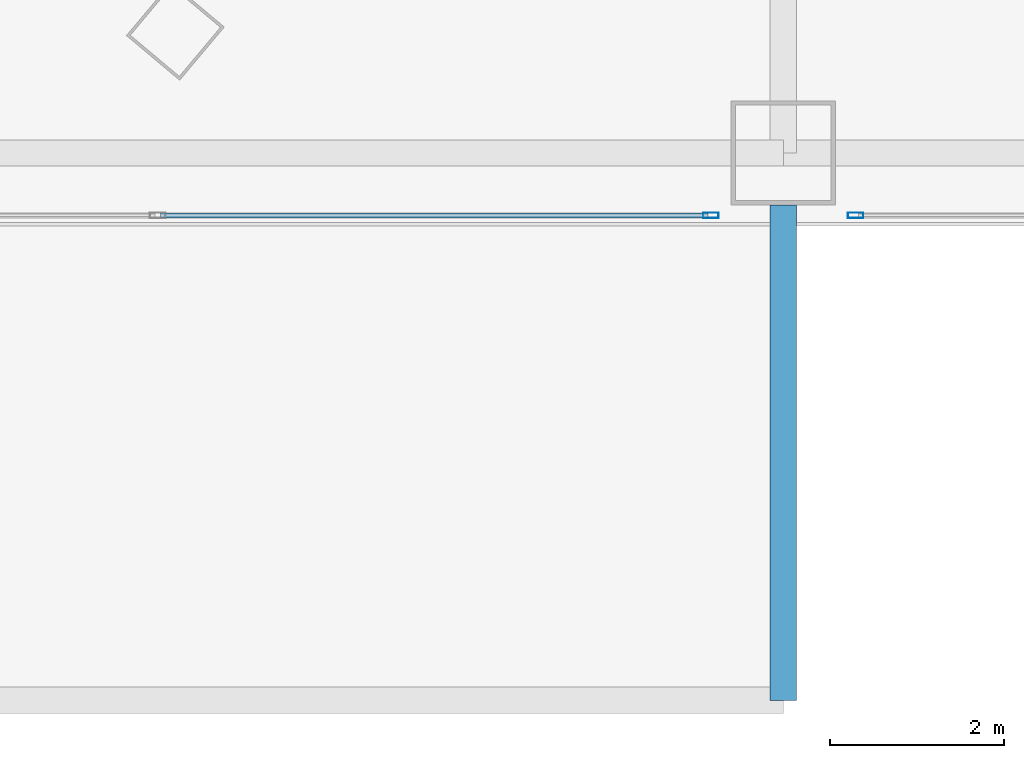
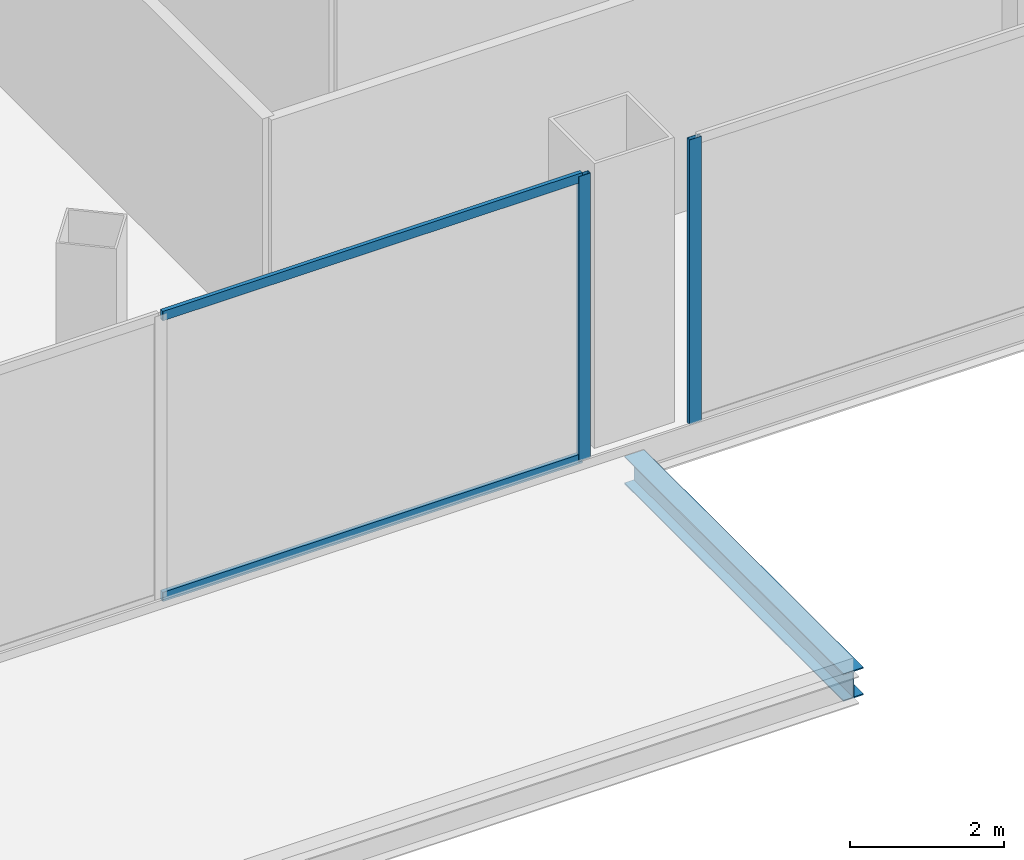
# One storey, part 7 of 42: 4 members, 1 beam, 2 elements without a shape of their own.
"""IFC4 building model written with IfcOpenShell, lengths in metres."""

from ifc_helpers import new_model, si_unit, direction, frame, origin, origin_2d, place, context, subcontext, project, spatial, hollow_rectangle, i_section, extrude, source, transform, mapped, material, layer, layer_set, material_profile, profile_set, type_object, element, aggregate, save


model = new_model("IFC4")

# Units and contexts
model_context = context("Model", 3, precision=1e-05, world=origin(), true_north=direction((0.0, 1.0)))
body_context = subcontext(model_context, "Body", "Model", "MODEL_VIEW")
ifc_project = project(units=[si_unit("LENGTHUNIT", "METRE"), si_unit("AREAUNIT", "SQUARE_METRE"), si_unit("VOLUMEUNIT", "CUBIC_METRE"), si_unit("PLANEANGLEUNIT", "RADIAN"), si_unit("MASSUNIT", "GRAM", prefix="KILO"), si_unit("THERMODYNAMICTEMPERATUREUNIT", "KELVIN"), si_unit("POWERUNIT", "WATT")], contexts=[model_context])

# Site, building, storey
site_placement = place(None, origin())
site = spatial("IfcSite", under=ifc_project, at=site_placement, CompositionType="ELEMENT")
building_placement = place(site_placement, origin())
building = spatial("IfcBuilding", under=site, at=building_placement, Name="Yunzhuo Pagoda Commons", CompositionType="ELEMENT")
storey_placement = place(building_placement, frame((0.0, 0.0, 4.800048828125)))
storey = spatial("IfcBuildingStorey", under=building, at=storey_placement, Name="L02", CompositionType="ELEMENT", Elevation=4.800048828125)

# Beam
ifc_material_1 = material(Name="Structural steel Q355B", Category="steel")
ifc_material_profile_1 = material_profile(ifc_material_1, i_section(OverallWidth=0.300048828125, OverallDepth=0.43994140625, WebThickness=0.010986328125, FlangeThickness=0.01806640625, at=origin_2d()), Name="Structural steel Q355B")
ifc_profile_set_1 = profile_set([ifc_material_profile_1], Name="Structural steel Q355B")
beam_type = type_object("IfcBeamType", Name="B-SP2 Beam HM 440x300x11x18", PredefinedType="BEAM", material=ifc_profile_set_1)
shared_shape_1 = source(origin(), body_context, "Body", "SweptSolid", [
    extrude(i_section(OverallWidth=0.300048828125, OverallDepth=0.43994140625, WebThickness=0.010986328125, FlangeThickness=0.01806640625, at=origin_2d()), origin(), (0.0, 0.0, 1.0), 5.699951171875),
])
beam_placement = place(storey_placement, frame((33.60009765625, 6.199951171875, -0.5), z_axis=(0.0, -1.0, 0.0), x_axis=(1.0, 0.0, 0.0)))
element("IfcBeam", 1, at=beam_placement, inside=storey, type_object=beam_type, Name="South canopy girder 2", PredefinedType="BEAM", context=body_context, shape_type="MappedRepresentation", body=[
    mapped(shared_shape_1, transform((0.0, 0.0, 0.0), scale=1.0)),
])

# Curtain wall, member
ifc_material_2 = material(Name="Anodized aluminium 6063-T6", Category="aluminium")
ifc_layer = layer(ifc_material_2, 0.179931640625)
ifc_layer_set = layer_set([ifc_layer], Name="Anodized aluminium 6063-T6")
curtain_wall_type = type_object("IfcCurtainWallType", Name="CW-POD Waterfront Podium Curtain Wall", PredefinedType="NOTDEFINED", material=ifc_layer_set)
curtain_wall_1_placement = place(storey_placement, origin())
curtain_wall_1 = element("IfcCurtainWall", 2, at=curtain_wall_1_placement, inside=storey, type_object=curtain_wall_type, Name="L02 curtain wall CW-L02-S2", PredefinedType="NOTDEFINED")
ifc_material_profile_2 = material_profile(ifc_material_2, hollow_rectangle(XDim=0.06494140625, YDim=0.179931640625, WallThickness=0.00390625, at=origin_2d()), Name="Anodized aluminium 6063-T6")
ifc_profile_set_2 = profile_set([ifc_material_profile_2], Name="Anodized aluminium 6063-T6")
member_type_1 = type_object("IfcMemberType", Name="CW-POD-M Mullion RHS 180x65x4", PredefinedType="MULLION", material=ifc_profile_set_2)
shared_shape_2 = source(origin(), body_context, "Body", "SweptSolid", [
    extrude(hollow_rectangle(XDim=0.06494140625, YDim=0.179931640625, WallThickness=0.00390625, at=origin_2d()), origin(), (0.0, 0.0, 1.0), 4.52001953125),
])
member_1_placement = place(storey_placement, frame((32.767578125, 6.080078125, 0.0), z_axis=(0.0, 0.0, 1.0), x_axis=(0.0, 1.0, 0.0)))
member_1 = element("IfcMember", 3, at=member_1_placement, type_object=member_type_1, Name="CW mullion 3", PredefinedType="MULLION", context=body_context, shape_type="MappedRepresentation", body=[
    mapped(shared_shape_2, transform((0.0, 0.0, 0.0), scale=1.0)),
])

curtain_wall_2_placement = place(storey_placement, origin())
curtain_wall_2 = element("IfcCurtainWall", 4, at=curtain_wall_2_placement, inside=storey, type_object=curtain_wall_type, Name="L02 curtain wall CW-L02-S3", PredefinedType="NOTDEFINED")
member_2_placement = place(storey_placement, frame((34.4326171875, 6.080078125, 0.0), z_axis=(0.0, 0.0, 1.0), x_axis=(0.0, 1.0, 0.0)))
member_2 = element("IfcMember", 5, at=member_2_placement, type_object=member_type_1, Name="CW mullion 1", PredefinedType="MULLION", context=body_context, shape_type="MappedRepresentation", body=[
    mapped(shared_shape_2, transform((0.0, 0.0, 0.0), scale=1.0)),
])
aggregate(curtain_wall_2, [member_2])

# Member
ifc_material_profile_3 = material_profile(ifc_material_2, hollow_rectangle(XDim=0.06005859375, YDim=0.14990234375, WallThickness=0.00390625, at=origin_2d()), Name="Anodized aluminium 6063-T6")
ifc_profile_set_3 = profile_set([ifc_material_profile_3], Name="Anodized aluminium 6063-T6")
member_type_2 = type_object("IfcMemberType", Name="CW-POD-T Transom RHS 150x60x4", PredefinedType="USERDEFINED", material=ifc_profile_set_3)
shared_shape_3 = source(origin(), body_context, "Body", "SweptSolid", [
    extrude(hollow_rectangle(XDim=0.06005859375, YDim=0.14990234375, WallThickness=0.00390625, at=origin_2d()), origin(), (0.0, 0.0, 1.0), 6.302490234375),
])
member_3_placement = place(storey_placement, frame((26.4326171875, 6.080078125, 0.030029296875), z_axis=(1.0, 0.0, 0.0), x_axis=(0.0, 1.0, 0.0)))
member_3 = element("IfcMember", 6, at=member_3_placement, type_object=member_type_2, Name="CW transom 2.1", ObjectType="TRANSOM", PredefinedType="USERDEFINED", context=body_context, shape_type="MappedRepresentation", body=[
    mapped(shared_shape_3, transform((0.0, 0.0, 0.0), scale=1.0)),
])

member_4_placement = place(storey_placement, frame((26.4326171875, 6.080078125, 4.489990234375), z_axis=(1.0, 0.0, 0.0), x_axis=(0.0, 1.0, 0.0)))
member_4 = element("IfcMember", 7, at=member_4_placement, type_object=member_type_2, Name="CW transom 2.2", ObjectType="TRANSOM", PredefinedType="USERDEFINED", context=body_context, shape_type="MappedRepresentation", body=[
    mapped(shared_shape_3, transform((0.0, 0.0, 0.0), scale=1.0)),
])

aggregate(curtain_wall_1, [member_1, member_3, member_4])

save(model, "model.ifc")
